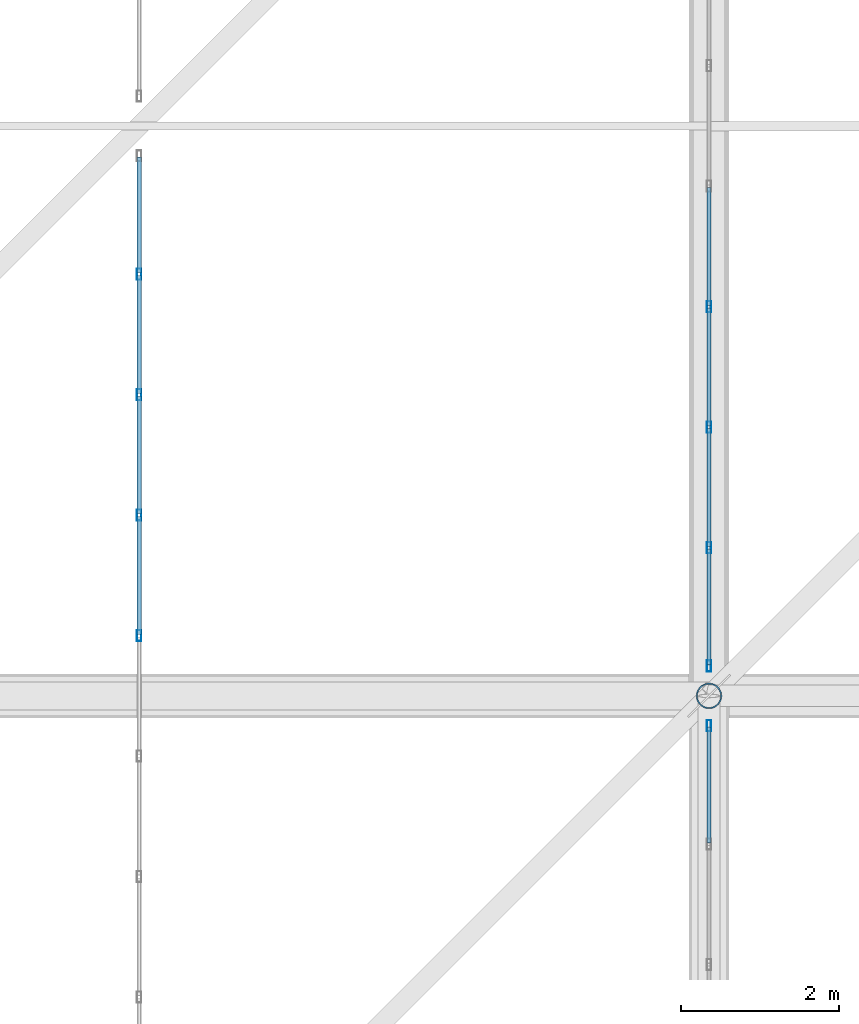
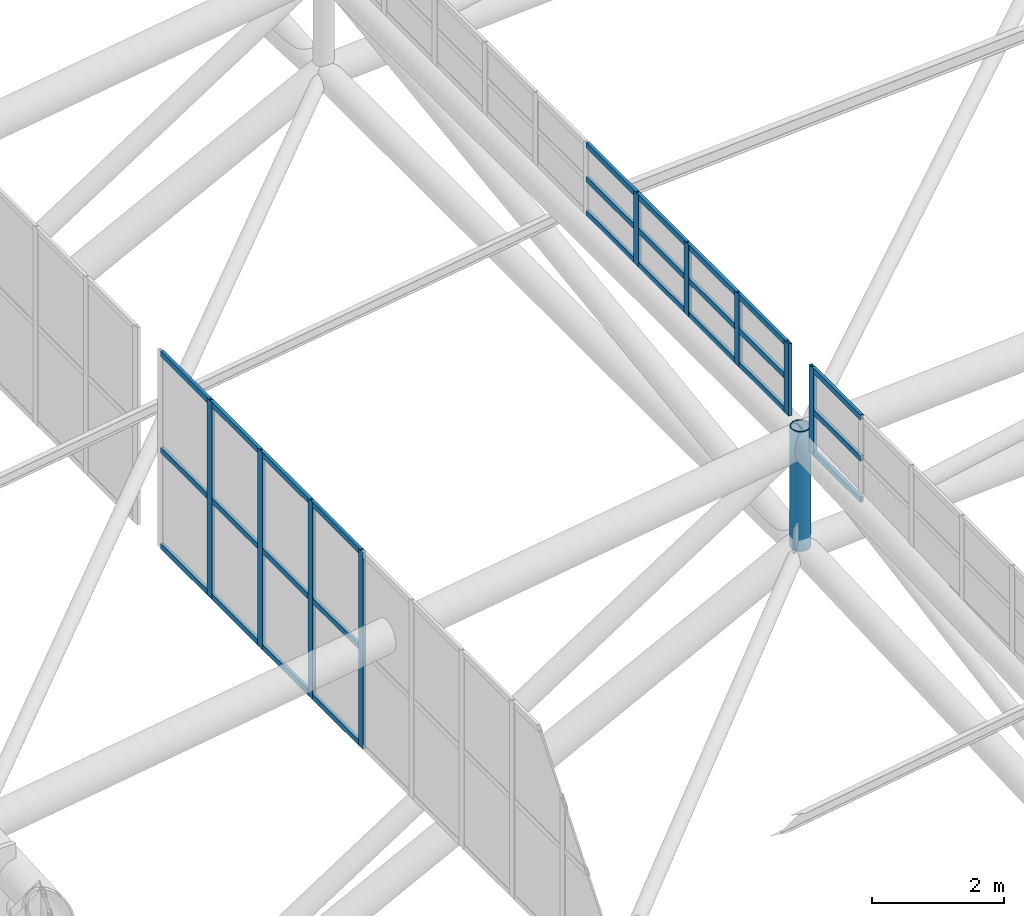
# One storey, part 73 of 397: 37 members, 3 elements without a shape of their own.
"""IFC4 building model written with IfcOpenShell, lengths in metres."""

from ifc_helpers import new_model, si_unit, direction, frame, origin, origin_2d, place, context, subcontext, project, spatial, hollow_rectangle, hollow_circle, extrude, material, material_profile, profile_set, type_object, element, aggregate, save


model = new_model("IFC4")

# Units and contexts
model_context = context("Model", 3, precision=1e-05, world=origin(), true_north=direction((0.0, 1.0)))
body_context = subcontext(model_context, "Body", "Model", "MODEL_VIEW")
ifc_project = project(units=[si_unit("LENGTHUNIT", "METRE"), si_unit("AREAUNIT", "SQUARE_METRE"), si_unit("VOLUMEUNIT", "CUBIC_METRE"), si_unit("PLANEANGLEUNIT", "RADIAN"), si_unit("MASSUNIT", "GRAM", prefix="KILO")], contexts=[model_context])

# Site, building, storey
site_placement = place(None, origin())
site = spatial("IfcSite", under=ifc_project, at=site_placement, CompositionType="ELEMENT")
building_placement = place(site_placement, origin())
building = spatial("IfcBuilding", under=site, at=building_placement, Name="Qandorah Velis Arena", CompositionType="ELEMENT")
storey_placement = place(building_placement, frame((0.0, 0.0, 27.5)))
storey = spatial("IfcBuildingStorey", under=building, at=storey_placement, Name="RF", CompositionType="ELEMENT", Elevation=27.5)

# Curtain wall, members
ifc_material_1 = material(Name="Solar-control low-E double glazing", Category="glass")
curtain_wall_type_1 = type_object("IfcCurtainWallType", Name="ARC-CW-SYS09", PredefinedType="USERDEFINED", material=ifc_material_1)
curtain_wall_1_placement = place(storey_placement, origin())
curtain_wall_1 = element("IfcCurtainWall", 1, at=curtain_wall_1_placement, inside=storey, type_object=curtain_wall_type_1, Name="Unitised curtain wall MON-1-3", ObjectType="UNITISED CURTAIN WALL", PredefinedType="USERDEFINED")
ifc_material_2 = material(Name="Champagne-bronze anodized aluminium 6063-T6", Category="aluminium")
ifc_material_profile_1 = material_profile(ifc_material_2, hollow_rectangle(XDim=0.054931640625, YDim=0.139892578125, WallThickness=0.0029296875, at=origin_2d()), Name="ALU MULLION 55x140")
ifc_profile_set_1 = profile_set([ifc_material_profile_1], Name="Champagne-bronze anodized aluminium 6063-T6")
member_type_1 = type_object("IfcMemberType", Name="ARC-CWM-140", PredefinedType="MULLION", material=ifc_profile_set_1)
member_1_placement = place(storey_placement, frame((21.60009765625, 58.361083984375, 5.830322265625), z_axis=(0.0, 0.0, 1.0), x_axis=(-1.0, 0.0, 0.0)))
member_1 = element("IfcMember", 2, at=member_1_placement, type_object=member_type_1, Name="CW09 mullion 6", PredefinedType="MULLION", context=body_context, shape_type="SweptSolid", body=[
    extrude(hollow_rectangle(XDim=0.054931640625, YDim=0.139892578125, WallThickness=0.0029296875, at=origin_2d()), origin(), (0.0, 0.0, 1.0), 3.6298828125),
])
member_2_placement = place(storey_placement, frame((21.60009765625, 59.88330078125, 5.830322265625), z_axis=(0.0, 0.0, 1.0), x_axis=(-1.0, 0.0, 0.0)))
member_2 = element("IfcMember", 3, at=member_2_placement, type_object=member_type_1, Name="CW09 mullion 7", PredefinedType="MULLION", context=body_context, shape_type="SweptSolid", body=[
    extrude(hollow_rectangle(XDim=0.054931640625, YDim=0.139892578125, WallThickness=0.0029296875, at=origin_2d()), origin(), (0.0, 0.0, 1.0), 3.6298828125),
])
member_3_placement = place(storey_placement, frame((21.60009765625, 61.405517578125, 5.830322265625), z_axis=(0.0, 0.0, 1.0), x_axis=(-1.0, 0.0, 0.0)))
member_3 = element("IfcMember", 4, at=member_3_placement, type_object=member_type_1, Name="CW09 mullion 8", PredefinedType="MULLION", context=body_context, shape_type="SweptSolid", body=[
    extrude(hollow_rectangle(XDim=0.054931640625, YDim=0.139892578125, WallThickness=0.0029296875, at=origin_2d()), origin(), (0.0, 0.0, 1.0), 3.6298828125),
])
member_4_placement = place(storey_placement, frame((21.60009765625, 62.927734375, 5.830322265625), z_axis=(0.0, 0.0, 1.0), x_axis=(-1.0, 0.0, 0.0)))
member_4 = element("IfcMember", 5, at=member_4_placement, type_object=member_type_1, Name="CW09 mullion 9", PredefinedType="MULLION", context=body_context, shape_type="SweptSolid", body=[
    extrude(hollow_rectangle(XDim=0.054931640625, YDim=0.139892578125, WallThickness=0.0029296875, at=origin_2d()), origin(), (0.0, 0.0, 1.0), 3.6298828125),
])

# Curtain wall, member
curtain_wall_type_2 = type_object("IfcCurtainWallType", Name="ARC-CW-SYS07", PredefinedType="USERDEFINED", material=ifc_material_1)
curtain_wall_2_placement = place(storey_placement, origin())
curtain_wall_2 = element("IfcCurtainWall", 6, at=curtain_wall_2_placement, inside=storey, type_object=curtain_wall_type_2, Name="Unitised curtain wall OCULUS-1-2", ObjectType="UNITISED CURTAIN WALL", PredefinedType="USERDEFINED")
member_5_placement = place(storey_placement, frame((28.800048828125, 57.222412109375, 9.41259765625), z_axis=(0.0, 0.0, 1.0), x_axis=(-1.0, 0.0, 0.0)))
member_5 = element("IfcMember", 7, at=member_5_placement, type_object=member_type_1, Name="CW07 mullion 10", PredefinedType="MULLION", context=body_context, shape_type="SweptSolid", body=[
    extrude(hollow_rectangle(XDim=0.054931640625, YDim=0.139892578125, WallThickness=0.0029296875, at=origin_2d()), origin(), (0.0, 0.0, 1.0), 1.602294921875),
])

# Curtain wall, members
curtain_wall_type_3 = type_object("IfcCurtainWallType", Name="ARC-CW-SYS08", PredefinedType="USERDEFINED", material=ifc_material_1)
curtain_wall_3_placement = place(storey_placement, origin())
curtain_wall_3 = element("IfcCurtainWall", 8, at=curtain_wall_3_placement, inside=storey, type_object=curtain_wall_type_3, Name="Unitised curtain wall OCULUS-1-3", ObjectType="UNITISED CURTAIN WALL", PredefinedType="USERDEFINED")
member_6_placement = place(storey_placement, frame((28.800048828125, 57.9775390625, 9.68408203125), z_axis=(0.0, 0.0, 1.0), x_axis=(-1.0, 0.0, 0.0)))
member_6 = element("IfcMember", 9, at=member_6_placement, type_object=member_type_1, Name="CW08 mullion 1", PredefinedType="MULLION", context=body_context, shape_type="SweptSolid", body=[
    extrude(hollow_rectangle(XDim=0.054931640625, YDim=0.139892578125, WallThickness=0.0029296875, at=origin_2d()), origin(), (0.0, 0.0, 1.0), 1.330810546875),
])
member_7_placement = place(storey_placement, frame((28.800048828125, 59.47216796875, 9.68408203125), z_axis=(0.0, 0.0, 1.0), x_axis=(-1.0, 0.0, 0.0)))
member_7 = element("IfcMember", 10, at=member_7_placement, type_object=member_type_1, Name="CW08 mullion 2", PredefinedType="MULLION", context=body_context, shape_type="SweptSolid", body=[
    extrude(hollow_rectangle(XDim=0.054931640625, YDim=0.139892578125, WallThickness=0.0029296875, at=origin_2d()), origin(), (0.0, 0.0, 1.0), 1.330810546875),
])
member_8_placement = place(storey_placement, frame((28.800048828125, 60.994384765625, 9.68408203125), z_axis=(0.0, 0.0, 1.0), x_axis=(-1.0, 0.0, 0.0)))
member_8 = element("IfcMember", 11, at=member_8_placement, type_object=member_type_1, Name="CW08 mullion 3", PredefinedType="MULLION", context=body_context, shape_type="SweptSolid", body=[
    extrude(hollow_rectangle(XDim=0.054931640625, YDim=0.139892578125, WallThickness=0.0029296875, at=origin_2d()), origin(), (0.0, 0.0, 1.0), 1.330810546875),
])
member_9_placement = place(storey_placement, frame((28.800048828125, 62.5166015625, 9.68408203125), z_axis=(0.0, 0.0, 1.0), x_axis=(-1.0, 0.0, 0.0)))
member_9 = element("IfcMember", 12, at=member_9_placement, type_object=member_type_1, Name="CW08 mullion 4", PredefinedType="MULLION", context=body_context, shape_type="SweptSolid", body=[
    extrude(hollow_rectangle(XDim=0.054931640625, YDim=0.139892578125, WallThickness=0.0029296875, at=origin_2d()), origin(), (0.0, 0.0, 1.0), 1.330810546875),
])

# Member
ifc_material_profile_2 = material_profile(ifc_material_2, hollow_rectangle(XDim=0.054931640625, YDim=0.10009765625, WallThickness=0.0029296875, at=origin_2d()), Name="ALU TRANSOM 55x100")
ifc_profile_set_2 = profile_set([ifc_material_profile_2], Name="Champagne-bronze anodized aluminium 6063-T6")
member_type_2 = type_object("IfcMemberType", Name="ARC-CWT-100", PredefinedType="USERDEFINED", material=ifc_profile_set_2)
member_10_placement = place(storey_placement, frame((21.60009765625, 58.376708984375, 5.872802734375), z_axis=(0.0, 1.0, 0.0), x_axis=(-1.0, 0.0, 0.0)))
member_10 = element("IfcMember", 13, at=member_10_placement, type_object=member_type_2, Name="CW09 transom 6.1", ObjectType="TRANSOM", PredefinedType="USERDEFINED", context=body_context, shape_type="SweptSolid", body=[
    extrude(hollow_rectangle(XDim=0.054931640625, YDim=0.10009765625, WallThickness=0.0029296875, at=origin_2d()), origin(), (0.0, 0.0, 1.0), 1.4912109375),
])

member_11_placement = place(storey_placement, frame((21.60009765625, 58.376708984375, 7.645263671875), z_axis=(0.0, 1.0, 0.0), x_axis=(-1.0, 0.0, 0.0)))
member_11 = element("IfcMember", 14, at=member_11_placement, type_object=member_type_2, Name="CW09 transom 6.2", ObjectType="TRANSOM", PredefinedType="USERDEFINED", context=body_context, shape_type="SweptSolid", body=[
    extrude(hollow_rectangle(XDim=0.054931640625, YDim=0.10009765625, WallThickness=0.0029296875, at=origin_2d()), origin(), (0.0, 0.0, 1.0), 1.4912109375),
])

member_12_placement = place(storey_placement, frame((21.60009765625, 58.376708984375, 9.417724609375), z_axis=(0.0, 1.0, 0.0), x_axis=(-1.0, 0.0, 0.0)))
member_12 = element("IfcMember", 15, at=member_12_placement, type_object=member_type_2, Name="CW09 transom 6.3", ObjectType="TRANSOM", PredefinedType="USERDEFINED", context=body_context, shape_type="SweptSolid", body=[
    extrude(hollow_rectangle(XDim=0.054931640625, YDim=0.10009765625, WallThickness=0.0029296875, at=origin_2d()), origin(), (0.0, 0.0, 1.0), 1.4912109375),
])

member_13_placement = place(storey_placement, frame((21.60009765625, 59.898681640625, 5.872802734375), z_axis=(0.0, 1.0, 0.0), x_axis=(-1.0, 0.0, 0.0)))
member_13 = element("IfcMember", 16, at=member_13_placement, type_object=member_type_2, Name="CW09 transom 7.1", ObjectType="TRANSOM", PredefinedType="USERDEFINED", context=body_context, shape_type="SweptSolid", body=[
    extrude(hollow_rectangle(XDim=0.054931640625, YDim=0.10009765625, WallThickness=0.0029296875, at=origin_2d()), origin(), (0.0, 0.0, 1.0), 1.491455078125),
])

member_14_placement = place(storey_placement, frame((21.60009765625, 59.898681640625, 7.645263671875), z_axis=(0.0, 1.0, 0.0), x_axis=(-1.0, 0.0, 0.0)))
member_14 = element("IfcMember", 17, at=member_14_placement, type_object=member_type_2, Name="CW09 transom 7.2", ObjectType="TRANSOM", PredefinedType="USERDEFINED", context=body_context, shape_type="SweptSolid", body=[
    extrude(hollow_rectangle(XDim=0.054931640625, YDim=0.10009765625, WallThickness=0.0029296875, at=origin_2d()), origin(), (0.0, 0.0, 1.0), 1.491455078125),
])

member_15_placement = place(storey_placement, frame((21.60009765625, 59.898681640625, 9.417724609375), z_axis=(0.0, 1.0, 0.0), x_axis=(-1.0, 0.0, 0.0)))
member_15 = element("IfcMember", 18, at=member_15_placement, type_object=member_type_2, Name="CW09 transom 7.3", ObjectType="TRANSOM", PredefinedType="USERDEFINED", context=body_context, shape_type="SweptSolid", body=[
    extrude(hollow_rectangle(XDim=0.054931640625, YDim=0.10009765625, WallThickness=0.0029296875, at=origin_2d()), origin(), (0.0, 0.0, 1.0), 1.491455078125),
])

member_16_placement = place(storey_placement, frame((21.60009765625, 61.421142578125, 5.872802734375), z_axis=(0.0, 1.0, 0.0), x_axis=(-1.0, 0.0, 0.0)))
member_16 = element("IfcMember", 19, at=member_16_placement, type_object=member_type_2, Name="CW09 transom 8.1", ObjectType="TRANSOM", PredefinedType="USERDEFINED", context=body_context, shape_type="SweptSolid", body=[
    extrude(hollow_rectangle(XDim=0.054931640625, YDim=0.10009765625, WallThickness=0.0029296875, at=origin_2d()), origin(), (0.0, 0.0, 1.0), 1.4912109375),
])

member_17_placement = place(storey_placement, frame((21.60009765625, 61.421142578125, 7.645263671875), z_axis=(0.0, 1.0, 0.0), x_axis=(-1.0, 0.0, 0.0)))
member_17 = element("IfcMember", 20, at=member_17_placement, type_object=member_type_2, Name="CW09 transom 8.2", ObjectType="TRANSOM", PredefinedType="USERDEFINED", context=body_context, shape_type="SweptSolid", body=[
    extrude(hollow_rectangle(XDim=0.054931640625, YDim=0.10009765625, WallThickness=0.0029296875, at=origin_2d()), origin(), (0.0, 0.0, 1.0), 1.4912109375),
])

member_18_placement = place(storey_placement, frame((21.60009765625, 61.421142578125, 9.417724609375), z_axis=(0.0, 1.0, 0.0), x_axis=(-1.0, 0.0, 0.0)))
member_18 = element("IfcMember", 21, at=member_18_placement, type_object=member_type_2, Name="CW09 transom 8.3", ObjectType="TRANSOM", PredefinedType="USERDEFINED", context=body_context, shape_type="SweptSolid", body=[
    extrude(hollow_rectangle(XDim=0.054931640625, YDim=0.10009765625, WallThickness=0.0029296875, at=origin_2d()), origin(), (0.0, 0.0, 1.0), 1.4912109375),
])

member_19_placement = place(storey_placement, frame((21.60009765625, 62.943359375, 5.872802734375), z_axis=(0.0, 1.0, 0.0), x_axis=(-1.0, 0.0, 0.0)))
member_19 = element("IfcMember", 22, at=member_19_placement, type_object=member_type_2, Name="CW09 transom 9.1", ObjectType="TRANSOM", PredefinedType="USERDEFINED", context=body_context, shape_type="SweptSolid", body=[
    extrude(hollow_rectangle(XDim=0.054931640625, YDim=0.10009765625, WallThickness=0.0029296875, at=origin_2d()), origin(), (0.0, 0.0, 1.0), 1.463623046875),
])

member_20_placement = place(storey_placement, frame((21.60009765625, 62.943359375, 7.645263671875), z_axis=(0.0, 1.0, 0.0), x_axis=(-1.0, 0.0, 0.0)))
member_20 = element("IfcMember", 23, at=member_20_placement, type_object=member_type_2, Name="CW09 transom 9.2", ObjectType="TRANSOM", PredefinedType="USERDEFINED", context=body_context, shape_type="SweptSolid", body=[
    extrude(hollow_rectangle(XDim=0.054931640625, YDim=0.10009765625, WallThickness=0.0029296875, at=origin_2d()), origin(), (0.0, 0.0, 1.0), 1.463623046875),
])

member_21_placement = place(storey_placement, frame((21.60009765625, 62.943359375, 9.417724609375), z_axis=(0.0, 1.0, 0.0), x_axis=(-1.0, 0.0, 0.0)))
member_21 = element("IfcMember", 24, at=member_21_placement, type_object=member_type_2, Name="CW09 transom 9.3", ObjectType="TRANSOM", PredefinedType="USERDEFINED", context=body_context, shape_type="SweptSolid", body=[
    extrude(hollow_rectangle(XDim=0.054931640625, YDim=0.10009765625, WallThickness=0.0029296875, at=origin_2d()), origin(), (0.0, 0.0, 1.0), 1.463623046875),
])

aggregate(curtain_wall_1, [member_1, member_2, member_3, member_4, member_10, member_11, member_12, member_13, member_14, member_15, member_16, member_17, member_18, member_19, member_20, member_21])

member_22_placement = place(storey_placement, frame((28.800048828125, 55.743408203125, 9.455078125), z_axis=(0.0, 1.0, 0.0), x_axis=(-1.0, 0.0, 0.0)))
member_22 = element("IfcMember", 25, at=member_22_placement, type_object=member_type_2, Name="CW07 transom 9.1", ObjectType="TRANSOM", PredefinedType="USERDEFINED", context=body_context, shape_type="SweptSolid", body=[
    extrude(hollow_rectangle(XDim=0.054931640625, YDim=0.10009765625, WallThickness=0.0029296875, at=origin_2d()), origin(), (0.0, 0.0, 1.0), 1.463623046875),
])

member_23_placement = place(storey_placement, frame((28.800048828125, 55.743408203125, 10.2138671875), z_axis=(0.0, 1.0, 0.0), x_axis=(-1.0, 0.0, 0.0)))
member_23 = element("IfcMember", 26, at=member_23_placement, type_object=member_type_2, Name="CW07 transom 9.2", ObjectType="TRANSOM", PredefinedType="USERDEFINED", context=body_context, shape_type="SweptSolid", body=[
    extrude(hollow_rectangle(XDim=0.054931640625, YDim=0.10009765625, WallThickness=0.0029296875, at=origin_2d()), origin(), (0.0, 0.0, 1.0), 1.463623046875),
])

member_24_placement = place(storey_placement, frame((28.800048828125, 55.743408203125, 10.972412109375), z_axis=(0.0, 1.0, 0.0), x_axis=(-1.0, 0.0, 0.0)))
member_24 = element("IfcMember", 27, at=member_24_placement, type_object=member_type_2, Name="CW07 transom 9.3", ObjectType="TRANSOM", PredefinedType="USERDEFINED", context=body_context, shape_type="SweptSolid", body=[
    extrude(hollow_rectangle(XDim=0.054931640625, YDim=0.10009765625, WallThickness=0.0029296875, at=origin_2d()), origin(), (0.0, 0.0, 1.0), 1.463623046875),
])

aggregate(curtain_wall_2, [member_5, member_22, member_23, member_24])

member_25_placement = place(storey_placement, frame((28.800048828125, 57.992919921875, 9.7265625), z_axis=(0.0, 1.0, 0.0), x_axis=(-1.0, 0.0, 0.0)))
member_25 = element("IfcMember", 28, at=member_25_placement, type_object=member_type_2, Name="CW08 transom 1.1", ObjectType="TRANSOM", PredefinedType="USERDEFINED", context=body_context, shape_type="SweptSolid", body=[
    extrude(hollow_rectangle(XDim=0.054931640625, YDim=0.10009765625, WallThickness=0.0029296875, at=origin_2d()), origin(), (0.0, 0.0, 1.0), 1.4638671875),
])

member_26_placement = place(storey_placement, frame((28.800048828125, 57.992919921875, 10.349609375), z_axis=(0.0, 1.0, 0.0), x_axis=(-1.0, 0.0, 0.0)))
member_26 = element("IfcMember", 29, at=member_26_placement, type_object=member_type_2, Name="CW08 transom 1.2", ObjectType="TRANSOM", PredefinedType="USERDEFINED", context=body_context, shape_type="SweptSolid", body=[
    extrude(hollow_rectangle(XDim=0.054931640625, YDim=0.10009765625, WallThickness=0.0029296875, at=origin_2d()), origin(), (0.0, 0.0, 1.0), 1.4638671875),
])

member_27_placement = place(storey_placement, frame((28.800048828125, 57.992919921875, 10.972412109375), z_axis=(0.0, 1.0, 0.0), x_axis=(-1.0, 0.0, 0.0)))
member_27 = element("IfcMember", 30, at=member_27_placement, type_object=member_type_2, Name="CW08 transom 1.3", ObjectType="TRANSOM", PredefinedType="USERDEFINED", context=body_context, shape_type="SweptSolid", body=[
    extrude(hollow_rectangle(XDim=0.054931640625, YDim=0.10009765625, WallThickness=0.0029296875, at=origin_2d()), origin(), (0.0, 0.0, 1.0), 1.4638671875),
])

member_28_placement = place(storey_placement, frame((28.800048828125, 59.48779296875, 9.7265625), z_axis=(0.0, 1.0, 0.0), x_axis=(-1.0, 0.0, 0.0)))
member_28 = element("IfcMember", 31, at=member_28_placement, type_object=member_type_2, Name="CW08 transom 2.1", ObjectType="TRANSOM", PredefinedType="USERDEFINED", context=body_context, shape_type="SweptSolid", body=[
    extrude(hollow_rectangle(XDim=0.054931640625, YDim=0.10009765625, WallThickness=0.0029296875, at=origin_2d()), origin(), (0.0, 0.0, 1.0), 1.4912109375),
])

member_29_placement = place(storey_placement, frame((28.800048828125, 59.48779296875, 10.349609375), z_axis=(0.0, 1.0, 0.0), x_axis=(-1.0, 0.0, 0.0)))
member_29 = element("IfcMember", 32, at=member_29_placement, type_object=member_type_2, Name="CW08 transom 2.2", ObjectType="TRANSOM", PredefinedType="USERDEFINED", context=body_context, shape_type="SweptSolid", body=[
    extrude(hollow_rectangle(XDim=0.054931640625, YDim=0.10009765625, WallThickness=0.0029296875, at=origin_2d()), origin(), (0.0, 0.0, 1.0), 1.4912109375),
])

member_30_placement = place(storey_placement, frame((28.800048828125, 59.48779296875, 10.972412109375), z_axis=(0.0, 1.0, 0.0), x_axis=(-1.0, 0.0, 0.0)))
member_30 = element("IfcMember", 33, at=member_30_placement, type_object=member_type_2, Name="CW08 transom 2.3", ObjectType="TRANSOM", PredefinedType="USERDEFINED", context=body_context, shape_type="SweptSolid", body=[
    extrude(hollow_rectangle(XDim=0.054931640625, YDim=0.10009765625, WallThickness=0.0029296875, at=origin_2d()), origin(), (0.0, 0.0, 1.0), 1.4912109375),
])

member_31_placement = place(storey_placement, frame((28.800048828125, 61.010009765625, 9.7265625), z_axis=(0.0, 1.0, 0.0), x_axis=(-1.0, 0.0, 0.0)))
member_31 = element("IfcMember", 34, at=member_31_placement, type_object=member_type_2, Name="CW08 transom 3.1", ObjectType="TRANSOM", PredefinedType="USERDEFINED", context=body_context, shape_type="SweptSolid", body=[
    extrude(hollow_rectangle(XDim=0.054931640625, YDim=0.10009765625, WallThickness=0.0029296875, at=origin_2d()), origin(), (0.0, 0.0, 1.0), 1.4912109375),
])

member_32_placement = place(storey_placement, frame((28.800048828125, 61.010009765625, 10.349609375), z_axis=(0.0, 1.0, 0.0), x_axis=(-1.0, 0.0, 0.0)))
member_32 = element("IfcMember", 35, at=member_32_placement, type_object=member_type_2, Name="CW08 transom 3.2", ObjectType="TRANSOM", PredefinedType="USERDEFINED", context=body_context, shape_type="SweptSolid", body=[
    extrude(hollow_rectangle(XDim=0.054931640625, YDim=0.10009765625, WallThickness=0.0029296875, at=origin_2d()), origin(), (0.0, 0.0, 1.0), 1.4912109375),
])

member_33_placement = place(storey_placement, frame((28.800048828125, 61.010009765625, 10.972412109375), z_axis=(0.0, 1.0, 0.0), x_axis=(-1.0, 0.0, 0.0)))
member_33 = element("IfcMember", 36, at=member_33_placement, type_object=member_type_2, Name="CW08 transom 3.3", ObjectType="TRANSOM", PredefinedType="USERDEFINED", context=body_context, shape_type="SweptSolid", body=[
    extrude(hollow_rectangle(XDim=0.054931640625, YDim=0.10009765625, WallThickness=0.0029296875, at=origin_2d()), origin(), (0.0, 0.0, 1.0), 1.4912109375),
])

member_34_placement = place(storey_placement, frame((28.800048828125, 62.5322265625, 9.7265625), z_axis=(0.0, 1.0, 0.0), x_axis=(-1.0, 0.0, 0.0)))
member_34 = element("IfcMember", 37, at=member_34_placement, type_object=member_type_2, Name="CW08 transom 4.1", ObjectType="TRANSOM", PredefinedType="USERDEFINED", context=body_context, shape_type="SweptSolid", body=[
    extrude(hollow_rectangle(XDim=0.054931640625, YDim=0.10009765625, WallThickness=0.0029296875, at=origin_2d()), origin(), (0.0, 0.0, 1.0), 1.4912109375),
])

member_35_placement = place(storey_placement, frame((28.800048828125, 62.5322265625, 10.349609375), z_axis=(0.0, 1.0, 0.0), x_axis=(-1.0, 0.0, 0.0)))
member_35 = element("IfcMember", 38, at=member_35_placement, type_object=member_type_2, Name="CW08 transom 4.2", ObjectType="TRANSOM", PredefinedType="USERDEFINED", context=body_context, shape_type="SweptSolid", body=[
    extrude(hollow_rectangle(XDim=0.054931640625, YDim=0.10009765625, WallThickness=0.0029296875, at=origin_2d()), origin(), (0.0, 0.0, 1.0), 1.4912109375),
])

member_36_placement = place(storey_placement, frame((28.800048828125, 62.5322265625, 10.972412109375), z_axis=(0.0, 1.0, 0.0), x_axis=(-1.0, 0.0, 0.0)))
member_36 = element("IfcMember", 39, at=member_36_placement, type_object=member_type_2, Name="CW08 transom 4.3", ObjectType="TRANSOM", PredefinedType="USERDEFINED", context=body_context, shape_type="SweptSolid", body=[
    extrude(hollow_rectangle(XDim=0.054931640625, YDim=0.10009765625, WallThickness=0.0029296875, at=origin_2d()), origin(), (0.0, 0.0, 1.0), 1.4912109375),
])

aggregate(curtain_wall_3, [member_6, member_7, member_8, member_9, member_25, member_26, member_27, member_28, member_29, member_30, member_31, member_32, member_33, member_34, member_35, member_36])

ifc_material_3 = material(Name="Steel S355", Category="steel")
ifc_material_profile_3 = material_profile(ifc_material_3, hollow_circle(Radius=0.161865234375, WallThickness=0.01611328125, at=origin_2d()), Name="CHS 323.9x16")
ifc_profile_set_3 = profile_set([ifc_material_profile_3], Name="Steel S355")
member_type_3 = type_object("IfcMemberType", Name="STR-SFD-CHS323X16", PredefinedType="CHORD", material=ifc_profile_set_3)
member_37_placement = place(storey_placement, frame((28.800048828125, 57.60009765625, 7.483154296875), z_axis=(0.0, 0.0, 1.0), x_axis=(1.0, 0.0, 0.0)))
element("IfcMember", 40, at=member_37_placement, inside=storey, type_object=member_type_3, Name="Space frame roof vertical post 1.3", PredefinedType="CHORD", context=body_context, shape_type="SweptSolid", body=[
    extrude(hollow_circle(Radius=0.161865234375, WallThickness=0.01611328125, at=origin_2d()), origin(), (0.0, 0.0, 1.0), 2.2099609375),
])

save(model, "model.ifc")
